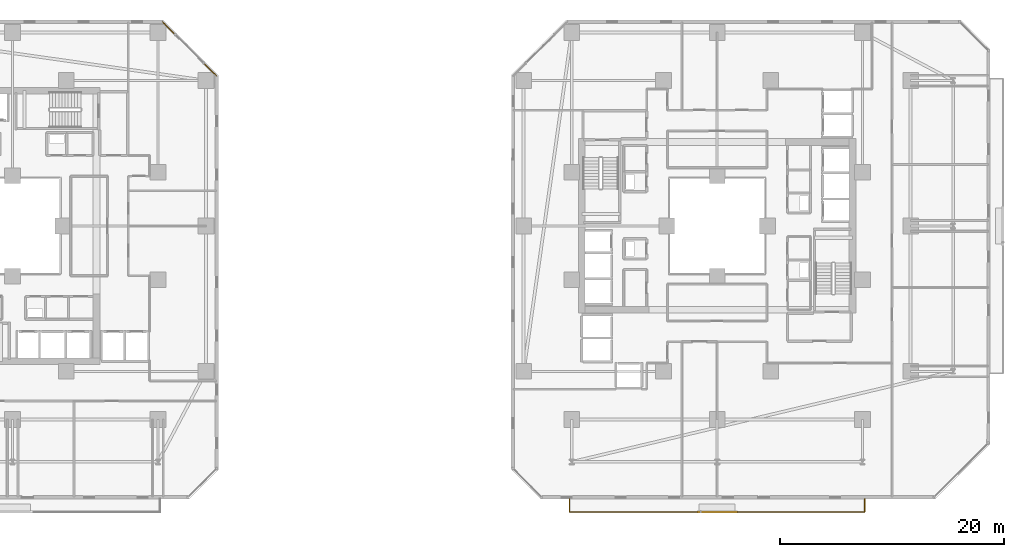
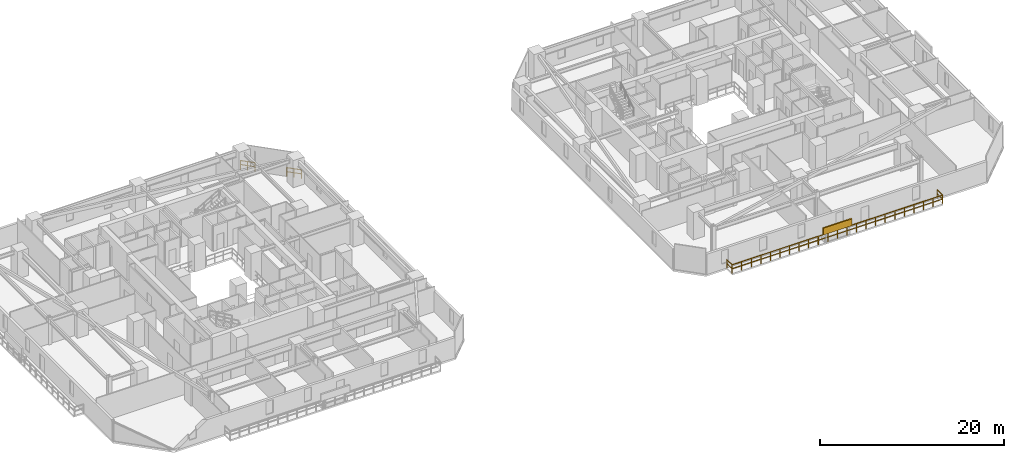
# One storey, part 31 of 33: 3 railings, 1 shading device.
"""IFC4 building model written with IfcOpenShell, lengths in metres."""

from ifc_helpers import new_model, si_unit, direction, frame, origin, origin_2d, place, context, subcontext, project, spatial, rectangle, extrude, material, type_object, element, save


model = new_model("IFC4")

# Units and contexts
model_context = context("Model", 3, precision=1e-05, world=origin(), true_north=direction((0.0, 1.0)))
body_context = subcontext(model_context, "Body", "Model", "MODEL_VIEW")
ifc_project = project(units=[si_unit("LENGTHUNIT", "METRE"), si_unit("AREAUNIT", "SQUARE_METRE"), si_unit("VOLUMEUNIT", "CUBIC_METRE"), si_unit("PLANEANGLEUNIT", "RADIAN"), si_unit("MASSUNIT", "GRAM", prefix="KILO")], contexts=[model_context])

# Site, building, storey
site_placement = place(None, origin())
site = spatial("IfcSite", under=ifc_project, at=site_placement, CompositionType="ELEMENT")
building_placement = place(site_placement, origin())
building = spatial("IfcBuilding", under=site, at=building_placement, Name="Thornwick Lancets Civic Towers", CompositionType="ELEMENT")
storey_placement = place(building_placement, frame((0.0, 0.0, 42.300048828125)))
storey = spatial("IfcBuildingStorey", under=building, at=storey_placement, Name="L10", CompositionType="ELEMENT", Elevation=42.300048828125)

# Railings
ifc_material_1 = material(Name="Terracotta-capped laminated glass balustrade S355", Category="masonry")
railing_type = type_object("IfcRailingType", Name="RAIL_TERR_GUARD", PredefinedType="GUARDRAIL", material=ifc_material_1)
for number, where, name in (
    (1, (43.757568359375, 40.399169921875, 0.0), "L10 Tower A Chamfer Spandrel Guard E3-1"),
    (2, (40.062255859375, 44.094482421875, 0.0), "L10 Tower A Chamfer Spandrel Guard E3-2"),
):
    element("IfcRailing", number, at=place(storey_placement, frame(where)), inside=storey, type_object=railing_type, Name=name, PredefinedType="GUARDRAIL", context=body_context, shape_type="SweptSolid", body=[
        extrude(rectangle(XDim=0.048095703125, YDim=0.048095703125, at=origin_2d()), frame((0.0, 0.0, 1.1259765625), z_axis=(-0.707106781187, 0.707106781187, 0.0), x_axis=(-0.707106781187, -0.707106781187, 0.0)), (0.0, 0.0, 1.0), 1.644775390625),
        extrude(rectangle(XDim=0.0419921875, YDim=0.0419921875, at=origin_2d()), frame((-0.026611328125, 0.026611328125, 0.597900390625), z_axis=(-0.707106781187, 0.707106781187, 0.0), x_axis=(-0.707106781187, -0.707106781187, 0.0)), (0.0, 0.0, 1.0), 0.74755859375),
        extrude(rectangle(XDim=0.0419921875, YDim=0.0419921875, at=origin_2d()), frame((-0.608154296875, 0.608154296875, 0.597900390625), z_axis=(-0.707106781187, 0.707106781187, 0.0), x_axis=(-0.707106781187, -0.707106781187, 0.0)), (0.0, 0.0, 1.0), 0.74755859375),
        extrude(rectangle(XDim=0.0419921875, YDim=0.0419921875, at=origin_2d()), origin(), (0.0, 0.0, 1.0), 1.095703125),
        extrude(rectangle(XDim=0.0419921875, YDim=0.0419921875, at=origin_2d()), frame((-0.58154296875, 0.58154296875, 0.0)), (0.0, 0.0, 1.0), 1.095703125),
        extrude(rectangle(XDim=0.0419921875, YDim=0.0419921875, at=origin_2d()), frame((-1.1630859375, 1.1630859375, 0.0)), (0.0, 0.0, 1.0), 1.095703125),
    ])
railing_placement = place(storey_placement, frame((75.300048828125, 2.60009765625, 0.0)))
element("IfcRailing", 3, at=railing_placement, inside=storey, type_object=railing_type, Name="L10 Tower B Balcony Guard S", PredefinedType="GUARDRAIL", context=body_context, shape_type="SweptSolid", body=[
    extrude(rectangle(XDim=0.048095703125, YDim=0.048095703125, at=origin_2d()), frame((0.0, 0.0, 1.1259765625), z_axis=(0.0, -1.0, 0.0), x_axis=(1.0, 0.0, 0.0)), (0.0, 0.0, 1.0), 1.138916015625),
    extrude(rectangle(XDim=0.0419921875, YDim=0.0419921875, at=origin_2d()), frame((0.0, -0.03759765625, 0.597900390625), z_axis=(0.0, -1.0, 0.0), x_axis=(1.0, 0.0, 0.0)), (0.0, 0.0, 1.0), 1.09521484375),
    extrude(rectangle(XDim=0.048095703125, YDim=0.048095703125, at=origin_2d()), frame((0.03125, -1.170166015625, 1.1259765625), z_axis=(1.0, 0.0, 0.0), x_axis=(0.0, 1.0, 0.0)), (0.0, 0.0, 1.0), 26.33740234375),
    extrude(rectangle(XDim=0.0419921875, YDim=0.0419921875, at=origin_2d()), frame((0.03759765625, -1.170166015625, 0.597900390625), z_axis=(1.0, 0.0, 0.0), x_axis=(0.0, 1.0, 0.0)), (0.0, 0.0, 1.0), 1.125),
    extrude(rectangle(XDim=0.0419921875, YDim=0.0419921875, at=origin_2d()), frame((1.237548828125, -1.170166015625, 0.597900390625), z_axis=(1.0, 0.0, 0.0), x_axis=(0.0, 1.0, 0.0)), (0.0, 0.0, 1.0), 1.125),
    extrude(rectangle(XDim=0.0419921875, YDim=0.0419921875, at=origin_2d()), frame((2.4375, -1.170166015625, 0.597900390625), z_axis=(1.0, 0.0, 0.0), x_axis=(0.0, 1.0, 0.0)), (0.0, 0.0, 1.0), 1.125),
    extrude(rectangle(XDim=0.0419921875, YDim=0.0419921875, at=origin_2d()), frame((3.637451171875, -1.170166015625, 0.597900390625), z_axis=(1.0, 0.0, 0.0), x_axis=(0.0, 1.0, 0.0)), (0.0, 0.0, 1.0), 1.125),
    extrude(rectangle(XDim=0.0419921875, YDim=0.0419921875, at=origin_2d()), frame((4.83740234375, -1.170166015625, 0.597900390625), z_axis=(1.0, 0.0, 0.0), x_axis=(0.0, 1.0, 0.0)), (0.0, 0.0, 1.0), 1.125),
    extrude(rectangle(XDim=0.0419921875, YDim=0.0419921875, at=origin_2d()), frame((6.037353515625, -1.170166015625, 0.597900390625), z_axis=(1.0, 0.0, 0.0), x_axis=(0.0, 1.0, 0.0)), (0.0, 0.0, 1.0), 1.125),
    extrude(rectangle(XDim=0.0419921875, YDim=0.0419921875, at=origin_2d()), frame((7.237548828125, -1.170166015625, 0.597900390625), z_axis=(1.0, 0.0, 0.0), x_axis=(0.0, 1.0, 0.0)), (0.0, 0.0, 1.0), 1.125),
    extrude(rectangle(XDim=0.0419921875, YDim=0.0419921875, at=origin_2d()), frame((8.4375, -1.170166015625, 0.597900390625), z_axis=(1.0, 0.0, 0.0), x_axis=(0.0, 1.0, 0.0)), (0.0, 0.0, 1.0), 1.125),
    extrude(rectangle(XDim=0.0419921875, YDim=0.0419921875, at=origin_2d()), frame((9.637451171875, -1.170166015625, 0.597900390625), z_axis=(1.0, 0.0, 0.0), x_axis=(0.0, 1.0, 0.0)), (0.0, 0.0, 1.0), 1.125),
    extrude(rectangle(XDim=0.0419921875, YDim=0.0419921875, at=origin_2d()), frame((10.83740234375, -1.170166015625, 0.597900390625), z_axis=(1.0, 0.0, 0.0), x_axis=(0.0, 1.0, 0.0)), (0.0, 0.0, 1.0), 1.125),
    extrude(rectangle(XDim=0.0419921875, YDim=0.0419921875, at=origin_2d()), frame((12.037353515625, -1.170166015625, 0.597900390625), z_axis=(1.0, 0.0, 0.0), x_axis=(0.0, 1.0, 0.0)), (0.0, 0.0, 1.0), 1.125),
    extrude(rectangle(XDim=0.0419921875, YDim=0.0419921875, at=origin_2d()), frame((13.237548828125, -1.170166015625, 0.597900390625), z_axis=(1.0, 0.0, 0.0), x_axis=(0.0, 1.0, 0.0)), (0.0, 0.0, 1.0), 1.125),
    extrude(rectangle(XDim=0.0419921875, YDim=0.0419921875, at=origin_2d()), frame((14.4375, -1.170166015625, 0.597900390625), z_axis=(1.0, 0.0, 0.0), x_axis=(0.0, 1.0, 0.0)), (0.0, 0.0, 1.0), 1.125),
    extrude(rectangle(XDim=0.0419921875, YDim=0.0419921875, at=origin_2d()), frame((15.637451171875, -1.170166015625, 0.597900390625), z_axis=(1.0, 0.0, 0.0), x_axis=(0.0, 1.0, 0.0)), (0.0, 0.0, 1.0), 1.125),
    extrude(rectangle(XDim=0.0419921875, YDim=0.0419921875, at=origin_2d()), frame((16.83740234375, -1.170166015625, 0.597900390625), z_axis=(1.0, 0.0, 0.0), x_axis=(0.0, 1.0, 0.0)), (0.0, 0.0, 1.0), 1.125),
    extrude(rectangle(XDim=0.0419921875, YDim=0.0419921875, at=origin_2d()), frame((18.037353515625, -1.170166015625, 0.597900390625), z_axis=(1.0, 0.0, 0.0), x_axis=(0.0, 1.0, 0.0)), (0.0, 0.0, 1.0), 1.125),
    extrude(rectangle(XDim=0.0419921875, YDim=0.0419921875, at=origin_2d()), frame((19.2373046875, -1.170166015625, 0.597900390625), z_axis=(1.0, 0.0, 0.0), x_axis=(0.0, 1.0, 0.0)), (0.0, 0.0, 1.0), 1.125),
    extrude(rectangle(XDim=0.0419921875, YDim=0.0419921875, at=origin_2d()), frame((20.4375, -1.170166015625, 0.597900390625), z_axis=(1.0, 0.0, 0.0), x_axis=(0.0, 1.0, 0.0)), (0.0, 0.0, 1.0), 1.125),
    extrude(rectangle(XDim=0.0419921875, YDim=0.0419921875, at=origin_2d()), frame((21.637451171875, -1.170166015625, 0.597900390625), z_axis=(1.0, 0.0, 0.0), x_axis=(0.0, 1.0, 0.0)), (0.0, 0.0, 1.0), 1.125),
    extrude(rectangle(XDim=0.0419921875, YDim=0.0419921875, at=origin_2d()), frame((22.83740234375, -1.170166015625, 0.597900390625), z_axis=(1.0, 0.0, 0.0), x_axis=(0.0, 1.0, 0.0)), (0.0, 0.0, 1.0), 1.125),
    extrude(rectangle(XDim=0.0419921875, YDim=0.0419921875, at=origin_2d()), frame((24.037353515625, -1.170166015625, 0.597900390625), z_axis=(1.0, 0.0, 0.0), x_axis=(0.0, 1.0, 0.0)), (0.0, 0.0, 1.0), 1.125),
    extrude(rectangle(XDim=0.0419921875, YDim=0.0419921875, at=origin_2d()), frame((25.2373046875, -1.170166015625, 0.597900390625), z_axis=(1.0, 0.0, 0.0), x_axis=(0.0, 1.0, 0.0)), (0.0, 0.0, 1.0), 1.125),
    extrude(rectangle(XDim=0.048095703125, YDim=0.048095703125, at=origin_2d()), frame((26.39990234375, -1.138916015625, 1.1259765625), z_axis=(0.0, 1.0, 0.0), x_axis=(-1.0, 0.0, 0.0)), (0.0, 0.0, 1.0), 1.138916015625),
    extrude(rectangle(XDim=0.0419921875, YDim=0.0419921875, at=origin_2d()), frame((26.39990234375, -1.132568359375, 0.597900390625), z_axis=(0.0, 1.0, 0.0), x_axis=(-1.0, 0.0, 0.0)), (0.0, 0.0, 1.0), 1.09521484375),
    extrude(rectangle(XDim=0.0419921875, YDim=0.0419921875, at=origin_2d()), origin(), (0.0, 0.0, 1.0), 1.095703125),
    extrude(rectangle(XDim=0.0419921875, YDim=0.0419921875, at=origin_2d()), frame((0.0, -1.170166015625, 0.0)), (0.0, 0.0, 1.0), 1.095703125),
    extrude(rectangle(XDim=0.0419921875, YDim=0.0419921875, at=origin_2d()), frame((1.199951171875, -1.170166015625, 0.0)), (0.0, 0.0, 1.0), 1.095703125),
    extrude(rectangle(XDim=0.0419921875, YDim=0.0419921875, at=origin_2d()), frame((2.39990234375, -1.170166015625, 0.0)), (0.0, 0.0, 1.0), 1.095703125),
    extrude(rectangle(XDim=0.0419921875, YDim=0.0419921875, at=origin_2d()), frame((3.60009765625, -1.170166015625, 0.0)), (0.0, 0.0, 1.0), 1.095703125),
    extrude(rectangle(XDim=0.0419921875, YDim=0.0419921875, at=origin_2d()), frame((4.800048828125, -1.170166015625, 0.0)), (0.0, 0.0, 1.0), 1.095703125),
    extrude(rectangle(XDim=0.0419921875, YDim=0.0419921875, at=origin_2d()), frame((6.0, -1.170166015625, 0.0)), (0.0, 0.0, 1.0), 1.095703125),
    extrude(rectangle(XDim=0.0419921875, YDim=0.0419921875, at=origin_2d()), frame((7.199951171875, -1.170166015625, 0.0)), (0.0, 0.0, 1.0), 1.095703125),
    extrude(rectangle(XDim=0.0419921875, YDim=0.0419921875, at=origin_2d()), frame((8.39990234375, -1.170166015625, 0.0)), (0.0, 0.0, 1.0), 1.095703125),
    extrude(rectangle(XDim=0.0419921875, YDim=0.0419921875, at=origin_2d()), frame((9.599853515625, -1.170166015625, 0.0)), (0.0, 0.0, 1.0), 1.095703125),
    extrude(rectangle(XDim=0.0419921875, YDim=0.0419921875, at=origin_2d()), frame((10.800048828125, -1.170166015625, 0.0)), (0.0, 0.0, 1.0), 1.095703125),
    extrude(rectangle(XDim=0.0419921875, YDim=0.0419921875, at=origin_2d()), frame((12.0, -1.170166015625, 0.0)), (0.0, 0.0, 1.0), 1.095703125),
    extrude(rectangle(XDim=0.0419921875, YDim=0.0419921875, at=origin_2d()), frame((13.199951171875, -1.170166015625, 0.0)), (0.0, 0.0, 1.0), 1.095703125),
    extrude(rectangle(XDim=0.0419921875, YDim=0.0419921875, at=origin_2d()), frame((14.39990234375, -1.170166015625, 0.0)), (0.0, 0.0, 1.0), 1.095703125),
    extrude(rectangle(XDim=0.0419921875, YDim=0.0419921875, at=origin_2d()), frame((15.599853515625, -1.170166015625, 0.0)), (0.0, 0.0, 1.0), 1.095703125),
    extrude(rectangle(XDim=0.0419921875, YDim=0.0419921875, at=origin_2d()), frame((16.800048828125, -1.170166015625, 0.0)), (0.0, 0.0, 1.0), 1.095703125),
    extrude(rectangle(XDim=0.0419921875, YDim=0.0419921875, at=origin_2d()), frame((18.0, -1.170166015625, 0.0)), (0.0, 0.0, 1.0), 1.095703125),
    extrude(rectangle(XDim=0.0419921875, YDim=0.0419921875, at=origin_2d()), frame((19.199951171875, -1.170166015625, 0.0)), (0.0, 0.0, 1.0), 1.095703125),
    extrude(rectangle(XDim=0.0419921875, YDim=0.0419921875, at=origin_2d()), frame((20.39990234375, -1.170166015625, 0.0)), (0.0, 0.0, 1.0), 1.095703125),
    extrude(rectangle(XDim=0.0419921875, YDim=0.0419921875, at=origin_2d()), frame((21.599853515625, -1.170166015625, 0.0)), (0.0, 0.0, 1.0), 1.095703125),
    extrude(rectangle(XDim=0.0419921875, YDim=0.0419921875, at=origin_2d()), frame((22.7998046875, -1.170166015625, 0.0)), (0.0, 0.0, 1.0), 1.095703125),
    extrude(rectangle(XDim=0.0419921875, YDim=0.0419921875, at=origin_2d()), frame((24.0, -1.170166015625, 0.0)), (0.0, 0.0, 1.0), 1.095703125),
    extrude(rectangle(XDim=0.0419921875, YDim=0.0419921875, at=origin_2d()), frame((25.199951171875, -1.170166015625, 0.0)), (0.0, 0.0, 1.0), 1.095703125),
    extrude(rectangle(XDim=0.0419921875, YDim=0.0419921875, at=origin_2d()), frame((26.39990234375, -1.170166015625, 0.0)), (0.0, 0.0, 1.0), 1.095703125),
    extrude(rectangle(XDim=0.0419921875, YDim=0.0419921875, at=origin_2d()), frame((26.39990234375, 0.0, 0.0)), (0.0, 0.0, 1.0), 1.095703125),
])

# Shading device
ifc_material_2 = material(Name="Extruded terracotta baguette solar screen", Category="masonry")
shading_device_type = type_object("IfcShadingDeviceType", Name="SHADE_BAGUETTE", PredefinedType="JALOUSIE", material=ifc_material_2)
shading_device_placement = place(storey_placement, frame((88.5, 1.43994140625, 1.1201171875), z_axis=(0.0, 0.0, 1.0), x_axis=(1.0, 0.0, 0.0)))
element("IfcShadingDevice", 4, at=shading_device_placement, inside=storey, type_object=shading_device_type, Name="L10 Tower B Terracotta Baguette Screen S", PredefinedType="JALOUSIE", context=body_context, shape_type="SweptSolid", body=[
    extrude(rectangle(XDim=3.60009765625, YDim=0.179931640625, at=origin_2d()), origin(), (0.0, 0.0, 1.0), 0.89990234375),
])

save(model, "model.ifc")
